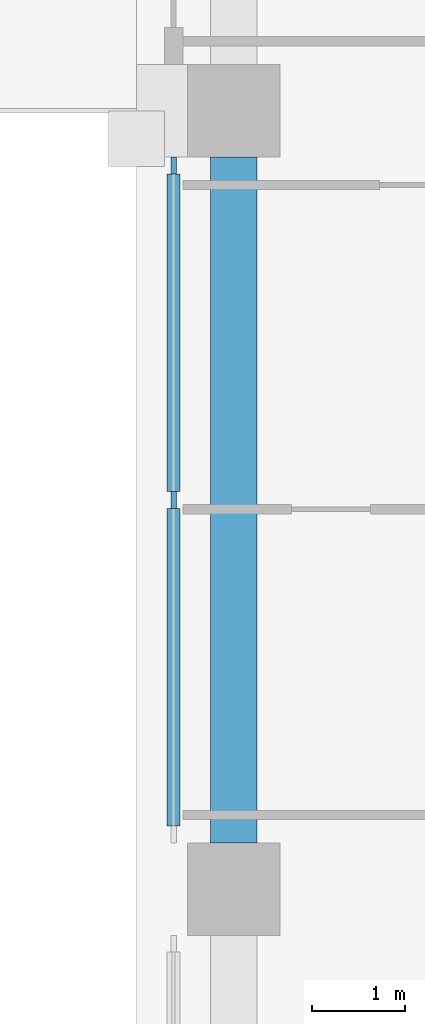
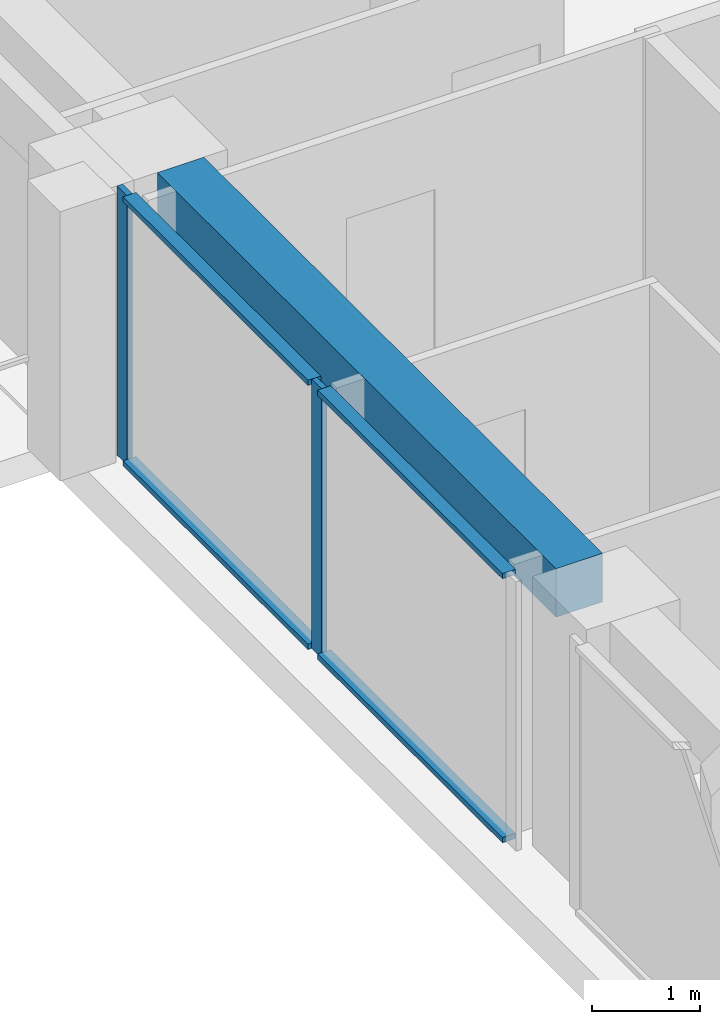
# One storey, part 3 of 15: 6 members, 1 beam, 1 element without a shape of its own.
"""IFC4 building model written with IfcOpenShell, lengths in metres."""

from ifc_helpers import new_model, si_unit, direction, frame, origin, origin_2d, place, context, subcontext, project, spatial, rectangle, extrude, material, material_profile, profile_set, type_object, element, aggregate, save


model = new_model("IFC4")

# Units and contexts
model_context = context("Model", 3, precision=1e-05, world=origin(), true_north=direction((0.0, 1.0)))
body_context = subcontext(model_context, "Body", "Model", "MODEL_VIEW")
ifc_project = project(units=[si_unit("LENGTHUNIT", "METRE"), si_unit("AREAUNIT", "SQUARE_METRE"), si_unit("VOLUMEUNIT", "CUBIC_METRE"), si_unit("PLANEANGLEUNIT", "RADIAN"), si_unit("MASSUNIT", "GRAM", prefix="KILO")], contexts=[model_context])

# Site, building, storey
site_placement = place(None, origin())
site = spatial("IfcSite", under=ifc_project, at=site_placement, CompositionType="ELEMENT")
building_placement = place(site_placement, origin())
building = spatial("IfcBuilding", under=site, at=building_placement, Name="Vermilion Ogive Tower", CompositionType="ELEMENT")
storey_placement = place(building_placement, frame((0.0, 0.0, 210.050048828125)))
storey = spatial("IfcBuildingStorey", under=building, at=storey_placement, Name="L55", CompositionType="ELEMENT", Elevation=210.050048828125)

# Curtain wall, members
ifc_material_1 = material(Name="Low-iron laminated glazing in aluminium frame", Category="aluminium")
curtain_wall_type = type_object("IfcCurtainWallType", Name="Curtain wall CW7", PredefinedType="NOTDEFINED", material=ifc_material_1)
curtain_wall_placement = place(storey_placement, origin())
curtain_wall = element("IfcCurtainWall", 1, at=curtain_wall_placement, inside=storey, type_object=curtain_wall_type, Name="Glazed skin W2", PredefinedType="NOTDEFINED")
ifc_material_2 = material(Name="Aluminium mullion", Category="aluminium")
ifc_material_profile_1 = material_profile(ifc_material_2, rectangle(XDim=0.06005859375, YDim=0.179931640625, at=origin_2d()), Name="AL 60x180")
ifc_profile_set_1 = profile_set([ifc_material_profile_1], Name="Aluminium mullion")
member_type_1 = type_object("IfcMemberType", Name="CW7 mullion 60x180", PredefinedType="MULLION", material=ifc_profile_set_1)
member_1_placement = place(storey_placement, frame((-25.85009765625, 3.610107421875, 0.0), z_axis=(0.0, 0.0, 1.0), x_axis=(1.0, 0.0, 0.0)))
member_1 = element("IfcMember", 2, at=member_1_placement, type_object=member_type_1, Name="CW7-W2 mullion 1", PredefinedType="MULLION", context=body_context, shape_type="SweptSolid", body=[
    extrude(rectangle(XDim=0.06005859375, YDim=0.179931640625, at=origin_2d()), origin(), (0.0, 0.0, 1.0), 3.050048828125),
])
member_2_placement = place(storey_placement, frame((-25.85009765625, 0.0, 0.0), z_axis=(0.0, 0.0, 1.0), x_axis=(1.0, 0.0, 0.0)))
member_2 = element("IfcMember", 3, at=member_2_placement, type_object=member_type_1, Name="CW7-W2 mullion 2", PredefinedType="MULLION", context=body_context, shape_type="SweptSolid", body=[
    extrude(rectangle(XDim=0.06005859375, YDim=0.179931640625, at=origin_2d()), origin(), (0.0, 0.0, 1.0), 3.050048828125),
])
ifc_material_3 = material(Name="Aluminium transom", Category="aluminium")
ifc_material_profile_2 = material_profile(ifc_material_3, rectangle(XDim=0.139892578125, YDim=0.06005859375, at=origin_2d()), Name="AL 60x140")
ifc_profile_set_2 = profile_set([ifc_material_profile_2], Name="Aluminium transom")
member_type_2 = type_object("IfcMemberType", Name="CW7 transom 60x140", PredefinedType="USERDEFINED", material=ifc_profile_set_2)
member_3_placement = place(storey_placement, frame((-25.85009765625, 3.52001953125, 0.030029296875), z_axis=(0.0, -1.0, 0.0), x_axis=(1.0, 0.0, 0.0)))
member_3 = element("IfcMember", 4, at=member_3_placement, type_object=member_type_2, Name="CW7-W2 transom 1.1", ObjectType="TRANSOM", PredefinedType="USERDEFINED", context=body_context, shape_type="SweptSolid", body=[
    extrude(rectangle(XDim=0.139892578125, YDim=0.06005859375, at=origin_2d()), origin(), (0.0, 0.0, 1.0), 3.429931640625),
])
member_4_placement = place(storey_placement, frame((-25.85009765625, 3.52001953125, 3.02001953125), z_axis=(0.0, -1.0, 0.0), x_axis=(1.0, 0.0, 0.0)))
member_4 = element("IfcMember", 5, at=member_4_placement, type_object=member_type_2, Name="CW7-W2 transom 1.2", ObjectType="TRANSOM", PredefinedType="USERDEFINED", context=body_context, shape_type="SweptSolid", body=[
    extrude(rectangle(XDim=0.139892578125, YDim=0.06005859375, at=origin_2d()), origin(), (0.0, 0.0, 1.0), 3.429931640625),
])
member_5_placement = place(storey_placement, frame((-25.85009765625, -0.090087890625, 0.030029296875), z_axis=(0.0, -1.0, 0.0), x_axis=(1.0, 0.0, 0.0)))
member_5 = element("IfcMember", 6, at=member_5_placement, type_object=member_type_2, Name="CW7-W2 transom 2.1", ObjectType="TRANSOM", PredefinedType="USERDEFINED", context=body_context, shape_type="SweptSolid", body=[
    extrude(rectangle(XDim=0.139892578125, YDim=0.06005859375, at=origin_2d()), origin(), (0.0, 0.0, 1.0), 3.429931640625),
])
member_6_placement = place(storey_placement, frame((-25.85009765625, -0.090087890625, 3.02001953125), z_axis=(0.0, -1.0, 0.0), x_axis=(1.0, 0.0, 0.0)))
member_6 = element("IfcMember", 7, at=member_6_placement, type_object=member_type_2, Name="CW7-W2 transom 2.2", ObjectType="TRANSOM", PredefinedType="USERDEFINED", context=body_context, shape_type="SweptSolid", body=[
    extrude(rectangle(XDim=0.139892578125, YDim=0.06005859375, at=origin_2d()), origin(), (0.0, 0.0, 1.0), 3.429931640625),
])
aggregate(curtain_wall, [member_1, member_2, member_3, member_4, member_5, member_6])

# Beam
ifc_material_4 = material(Name="Concrete B45", Category="concrete")
ifc_material_profile_3 = material_profile(ifc_material_4, rectangle(XDim=0.5, YDim=0.550048828125, at=origin_2d()), Name="500 x 550")
ifc_profile_set_3 = profile_set([ifc_material_profile_3], Name="Concrete B45")
beam_type = type_object("IfcBeamType", Name="Edge beam 500 x 550 B45", PredefinedType="BEAM", material=ifc_profile_set_3)
beam_placement = place(storey_placement, frame((-25.199951171875, 3.699951171875, 2.77490234375), z_axis=(0.0, -1.0, 0.0), x_axis=(1.0, 0.0, 0.0)))
element("IfcBeam", 8, at=beam_placement, inside=storey, type_object=beam_type, Name="L55-EB-15", PredefinedType="BEAM", context=body_context, shape_type="SweptSolid", body=[
    extrude(rectangle(XDim=0.5, YDim=0.550048828125, at=origin_2d()), origin(), (0.0, 0.0, 1.0), 7.39990234375),
])

save(model, "model.ifc")
